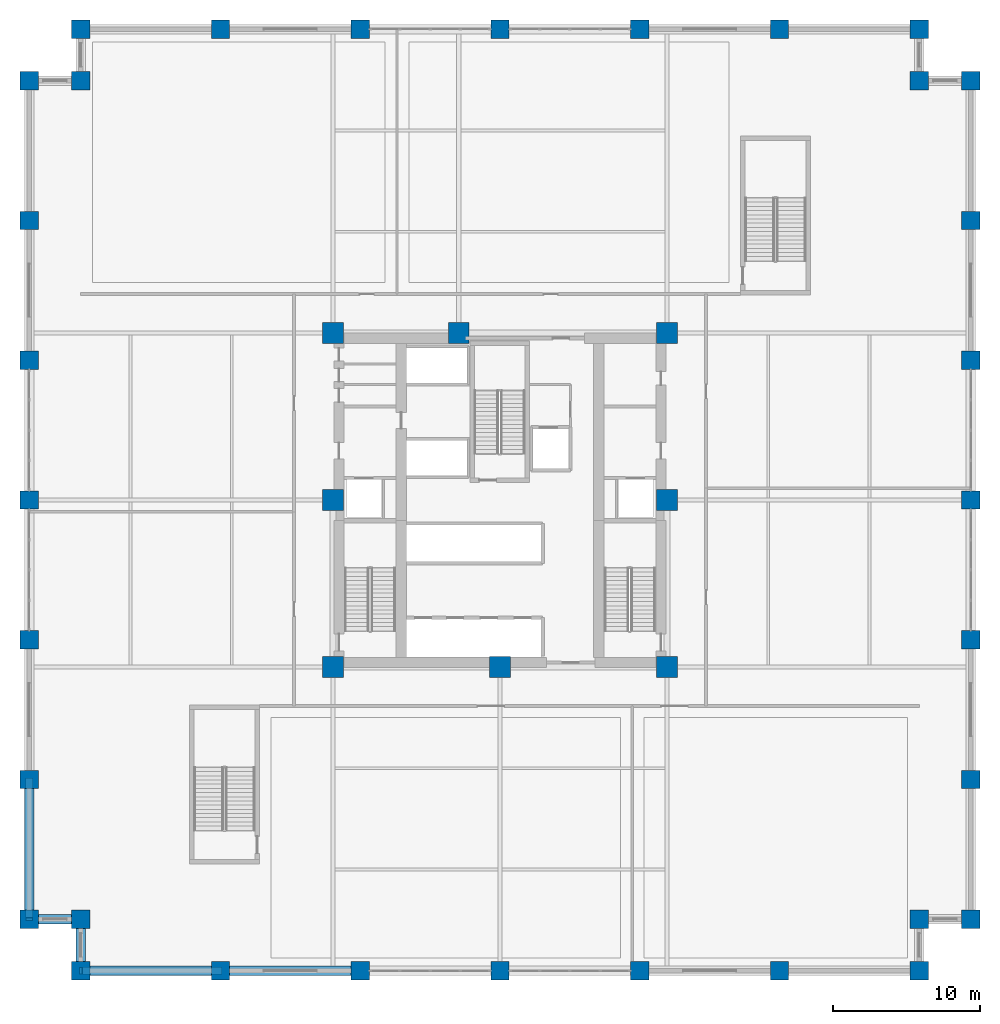
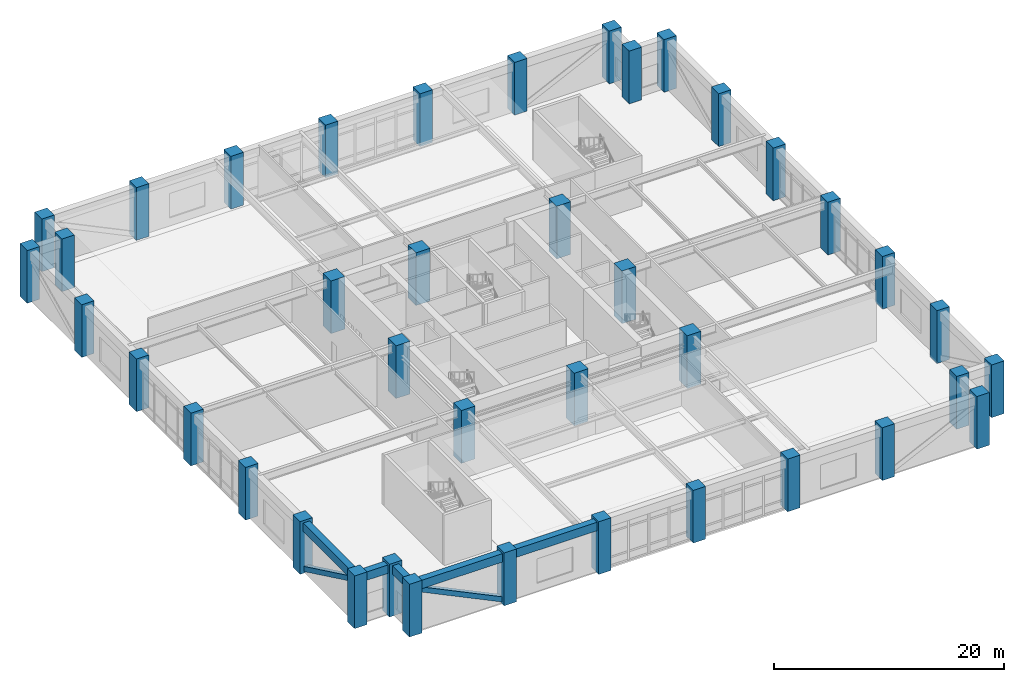
# One storey, part 1 of 21: 40 columns, 5 beams, 2 members.
"""IFC4 building model written with IfcOpenShell, lengths in metres."""

from ifc_helpers import new_model, si_unit, direction, frame, origin, origin_2d, place, context, subcontext, project, spatial, rectangle, hollow_rectangle, extrude, material, material_profile, profile_set, type_object, element, save


model = new_model("IFC4")

# Units and contexts
model_context = context("Model", 3, precision=1e-05, world=origin(), true_north=direction((0.0, 1.0)))
body_context = subcontext(model_context, "Body", "Model", "MODEL_VIEW")
ifc_project = project(units=[si_unit("LENGTHUNIT", "METRE"), si_unit("AREAUNIT", "SQUARE_METRE"), si_unit("VOLUMEUNIT", "CUBIC_METRE"), si_unit("PLANEANGLEUNIT", "RADIAN"), si_unit("MASSUNIT", "GRAM", prefix="KILO")], contexts=[model_context])

# Site, building, storey
site_placement = place(None, origin())
site = spatial("IfcSite", under=ifc_project, at=site_placement, CompositionType="ELEMENT")
building_placement = place(site_placement, origin())
building = spatial("IfcBuilding", under=site, at=building_placement, Name="Nhamokura Convention Tower", CompositionType="ELEMENT")
storey_placement = place(building_placement, frame((0.0, 0.0, 12.25)))
storey = spatial("IfcBuildingStorey", under=building, at=storey_placement, Name="L02", CompositionType="ELEMENT", Elevation=12.25)

# Columns
ifc_material_1 = material(Name="Concrete C70/85", Category="concrete")
ifc_material_profile_1 = material_profile(ifc_material_1, rectangle(XDim=1.39990234375, YDim=1.39990234375, at=origin_2d()))
ifc_profile_set_1 = profile_set([ifc_material_profile_1], Name="Concrete C70/85")
column_type_1 = type_object("IfcColumnType", Name="TubeColumn_B_1400", PredefinedType="COLUMN", material=ifc_profile_set_1)
for number, where, z_axis, x_axis, name in (
    (1, (20.64990234375, 20.64990234375, 0.0), (0.0, 0.0, 1.0), (1.0, 0.0, 0.0), "L02 Core Column CC-SW"),
    (2, (32.0, 20.64990234375, 0.0), (0.0, 0.0, 1.0), (1.0, 0.0, 0.0), "L02 Core Column CC-S"),
    (3, (43.35009765625, 20.64990234375, 0.0), (0.0, 0.0, 1.0), (1.0, 0.0, 0.0), "L02 Core Column CC-SE"),
    (4, (43.35009765625, 32.0, 0.0), (0.0, 0.0, 1.0), (1.0, 0.0, 0.0), "L02 Core Column CC-E"),
    (5, (43.35009765625, 43.35009765625, 0.0), (0.0, 0.0, 1.0), (1.0, 0.0, 0.0), "L02 Core Column CC-NE"),
    (6, (29.199951171875, 43.35009765625, 0.0), (0.0, 0.0, 1.0), (1.0, 0.0, 0.0), "L02 Core Column CC-N"),
    (7, (20.64990234375, 43.35009765625, 0.0), (0.0, 0.0, 1.0), (1.0, 0.0, 0.0), "L02 Core Column CC-NW"),
    (8, (20.64990234375, 32.0, 0.0), (0.0, 0.0, 1.0), (1.0, 0.0, 0.0), "L02 Core Column CC-W"),
):
    element("IfcColumn", number, at=place(storey_placement, frame(where, z_axis=z_axis, x_axis=x_axis)), inside=storey, type_object=column_type_1, Name=name, PredefinedType="COLUMN", context=body_context, shape_type="SweptSolid", body=[
        extrude(rectangle(XDim=1.39990234375, YDim=1.39990234375, at=origin_2d()), origin(), (0.0, 0.0, 1.0), 5.60009765625),
    ])
ifc_material_2 = material(Name="Concrete C70/85", Category="concrete")
ifc_material_profile_2 = material_profile(ifc_material_2, rectangle(XDim=1.25, YDim=1.25, at=origin_2d()))
ifc_profile_set_2 = profile_set([ifc_material_profile_2], Name="Concrete C70/85")
column_type_2 = type_object("IfcColumnType", Name="TubeColumn_P_1250", PredefinedType="COLUMN", material=ifc_profile_set_2)
for number, where, z_axis, x_axis, name in (
    (9, (3.5, 0.0, 0.0), (0.0, 0.0, 1.0), (1.0, 0.0, 0.0), "L02 Perimeter Tube Column SW1"),
    (10, (3.5, 3.5, 0.0), (0.0, 0.0, 1.0), (1.0, 0.0, 0.0), "L02 Perimeter Tube Column SW0"),
    (11, (0.0, 3.5, 0.0), (0.0, 0.0, 1.0), (1.0, 0.0, 0.0), "L02 Perimeter Tube Column SW2"),
    (12, (60.5, 0.0, 0.0), (0.0, 0.0, 1.0), (1.0, 0.0, 0.0), "L02 Perimeter Tube Column SE1"),
    (13, (60.5, 3.5, 0.0), (0.0, 0.0, 1.0), (1.0, 0.0, 0.0), "L02 Perimeter Tube Column SE0"),
    (14, (64.0, 3.5, 0.0), (0.0, 0.0, 1.0), (1.0, 0.0, 0.0), "L02 Perimeter Tube Column SE2"),
    (15, (64.0, 60.5, 0.0), (0.0, 0.0, 1.0), (1.0, 0.0, 0.0), "L02 Perimeter Tube Column NE1"),
    (16, (60.5, 60.5, 0.0), (0.0, 0.0, 1.0), (1.0, 0.0, 0.0), "L02 Perimeter Tube Column NE0"),
    (17, (60.5, 64.0, 0.0), (0.0, 0.0, 1.0), (1.0, 0.0, 0.0), "L02 Perimeter Tube Column NE2"),
    (18, (3.5, 64.0, 0.0), (0.0, 0.0, 1.0), (1.0, 0.0, 0.0), "L02 Perimeter Tube Column NW1"),
    (19, (3.5, 60.5, 0.0), (0.0, 0.0, 1.0), (1.0, 0.0, 0.0), "L02 Perimeter Tube Column NW0"),
    (20, (0.0, 60.5, 0.0), (0.0, 0.0, 1.0), (1.0, 0.0, 0.0), "L02 Perimeter Tube Column NW2"),
    (21, (13.0, 0.0, 0.0), (0.0, 0.0, 1.0), (1.0, 0.0, 0.0), "L02 Perimeter Tube Column S1"),
    (22, (13.0, 64.0, 0.0), (0.0, 0.0, 1.0), (1.0, 0.0, 0.0), "L02 Perimeter Tube Column N1"),
    (23, (0.0, 13.0, 0.0), (0.0, 0.0, 1.0), (1.0, 0.0, 0.0), "L02 Perimeter Tube Column W1"),
    (24, (64.0, 13.0, 0.0), (0.0, 0.0, 1.0), (1.0, 0.0, 0.0), "L02 Perimeter Tube Column E1"),
    (25, (22.5, 0.0, 0.0), (0.0, 0.0, 1.0), (1.0, 0.0, 0.0), "L02 Perimeter Tube Column S2"),
    (26, (22.5, 64.0, 0.0), (0.0, 0.0, 1.0), (1.0, 0.0, 0.0), "L02 Perimeter Tube Column N2"),
    (27, (0.0, 22.5, 0.0), (0.0, 0.0, 1.0), (1.0, 0.0, 0.0), "L02 Perimeter Tube Column W2"),
    (28, (64.0, 22.5, 0.0), (0.0, 0.0, 1.0), (1.0, 0.0, 0.0), "L02 Perimeter Tube Column E2"),
    (29, (32.0, 0.0, 0.0), (0.0, 0.0, 1.0), (1.0, 0.0, 0.0), "L02 Perimeter Tube Column S3"),
    (30, (32.0, 64.0, 0.0), (0.0, 0.0, 1.0), (1.0, 0.0, 0.0), "L02 Perimeter Tube Column N3"),
    (31, (0.0, 32.0, 0.0), (0.0, 0.0, 1.0), (1.0, 0.0, 0.0), "L02 Perimeter Tube Column W3"),
    (32, (64.0, 32.0, 0.0), (0.0, 0.0, 1.0), (1.0, 0.0, 0.0), "L02 Perimeter Tube Column E3"),
    (33, (41.5, 0.0, 0.0), (0.0, 0.0, 1.0), (1.0, 0.0, 0.0), "L02 Perimeter Tube Column S4"),
    (34, (41.5, 64.0, 0.0), (0.0, 0.0, 1.0), (1.0, 0.0, 0.0), "L02 Perimeter Tube Column N4"),
    (35, (0.0, 41.5, 0.0), (0.0, 0.0, 1.0), (1.0, 0.0, 0.0), "L02 Perimeter Tube Column W4"),
    (36, (64.0, 41.5, 0.0), (0.0, 0.0, 1.0), (1.0, 0.0, 0.0), "L02 Perimeter Tube Column E4"),
    (37, (51.0, 0.0, 0.0), (0.0, 0.0, 1.0), (1.0, 0.0, 0.0), "L02 Perimeter Tube Column S5"),
    (38, (51.0, 64.0, 0.0), (0.0, 0.0, 1.0), (1.0, 0.0, 0.0), "L02 Perimeter Tube Column N5"),
    (39, (0.0, 51.0, 0.0), (0.0, 0.0, 1.0), (1.0, 0.0, 0.0), "L02 Perimeter Tube Column W5"),
    (40, (64.0, 51.0, 0.0), (0.0, 0.0, 1.0), (1.0, 0.0, 0.0), "L02 Perimeter Tube Column E5"),
):
    element("IfcColumn", number, at=place(storey_placement, frame(where, z_axis=z_axis, x_axis=x_axis)), inside=storey, type_object=column_type_2, Name=name, PredefinedType="COLUMN", context=body_context, shape_type="SweptSolid", body=[
        extrude(rectangle(XDim=1.25, YDim=1.25, at=origin_2d()), origin(), (0.0, 0.0, 1.0), 5.60009765625),
    ])

# Members
ifc_material_3 = material(Name="Steel ASTM A572 Gr 50", Category="steel")
ifc_material_profile_3 = material_profile(ifc_material_3, hollow_rectangle(XDim=0.5, YDim=0.5, WallThickness=0.02490234375, at=origin_2d()))
ifc_profile_set_3 = profile_set([ifc_material_profile_3], Name="Steel ASTM A572 Gr 50")
member_type = type_object("IfcMemberType", Name="TubeBrace_HSS500", PredefinedType="BRACE", material=ifc_profile_set_3)
for number, where, z_axis, x_axis, name in (
    (41, (13.0, 0.0, 0.14990234375), (-0.901520888263, 0.0, 0.432735586734), (0.0, -1.0, 0.0), "L02 Perimeter Tube Brace SOUTH Bay 0"),
    (42, (0.0, 13.0, 0.14990234375), (0.0, -0.901520888263, 0.432735586734), (1.0, 0.0, 0.0), "L02 Perimeter Tube Brace WEST Bay 0"),
):
    element("IfcMember", number, at=place(storey_placement, frame(where, z_axis=z_axis, x_axis=x_axis)), inside=storey, type_object=member_type, Name=name, PredefinedType="BRACE", context=body_context, shape_type="SweptSolid", body=[
        extrude(hollow_rectangle(XDim=0.5, YDim=0.5, WallThickness=0.02490234375, at=origin_2d()), origin(), (0.0, 0.0, 1.0), 10.537841796875),
    ])

# Beams
ifc_material_4 = material(Name="Concrete C60/75", Category="concrete")
ifc_material_profile_4 = material_profile(ifc_material_4, rectangle(XDim=0.64990234375, YDim=0.89990234375, at=origin_2d()))
ifc_profile_set_4 = profile_set([ifc_material_profile_4], Name="Concrete C60/75")
beam_type = type_object("IfcBeamType", Name="TubeSpandrel_900", PredefinedType="SPANDREL", material=ifc_profile_set_4)
for number, where, z_axis, x_axis, name in (
    (43, (3.5, 0.0, 4.909912109375), (1.0, 0.0, 0.0), (0.0, 1.0, 0.0), "L02 Perimeter Spandrel SOUTH 1"),
    (44, (13.0, 0.0, 4.909912109375), (1.0, 0.0, 0.0), (0.0, 1.0, 0.0), "L02 Perimeter Spandrel SOUTH 2"),
    (45, (0.0, 3.5, 4.909912109375), (0.0, 1.0, 0.0), (-1.0, 0.0, 0.0), "L02 Perimeter Spandrel WEST 1"),
):
    element("IfcBeam", number, at=place(storey_placement, frame(where, z_axis=z_axis, x_axis=x_axis)), inside=storey, type_object=beam_type, Name=name, PredefinedType="SPANDREL", context=body_context, shape_type="SweptSolid", body=[
        extrude(rectangle(XDim=0.64990234375, YDim=0.89990234375, at=origin_2d()), origin(), (0.0, 0.0, 1.0), 9.5),
    ])
for number, where, z_axis, x_axis, name in (
    (46, (3.5, 0.0, 4.909912109375), (0.0, 1.0, 0.0), (-1.0, 0.0, 0.0), "L02 Notch Spandrel SW1"),
    (47, (3.5, 3.5, 4.909912109375), (-1.0, 0.0, 0.0), (0.0, -1.0, 0.0), "L02 Notch Spandrel SW2"),
):
    element("IfcBeam", number, at=place(storey_placement, frame(where, z_axis=z_axis, x_axis=x_axis)), inside=storey, type_object=beam_type, Name=name, PredefinedType="SPANDREL", context=body_context, shape_type="SweptSolid", body=[
        extrude(rectangle(XDim=0.64990234375, YDim=0.89990234375, at=origin_2d()), origin(), (0.0, 0.0, 1.0), 3.5),
    ])

save(model, "model.ifc")
